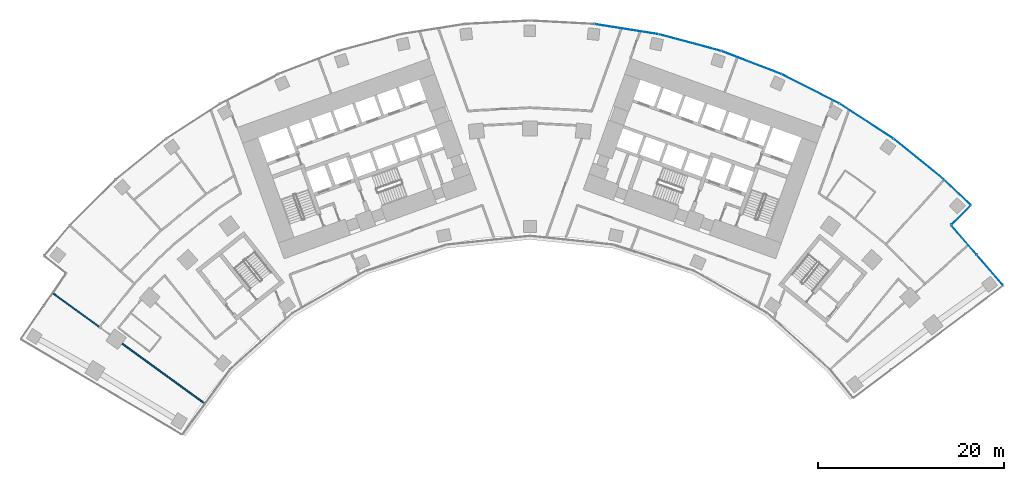
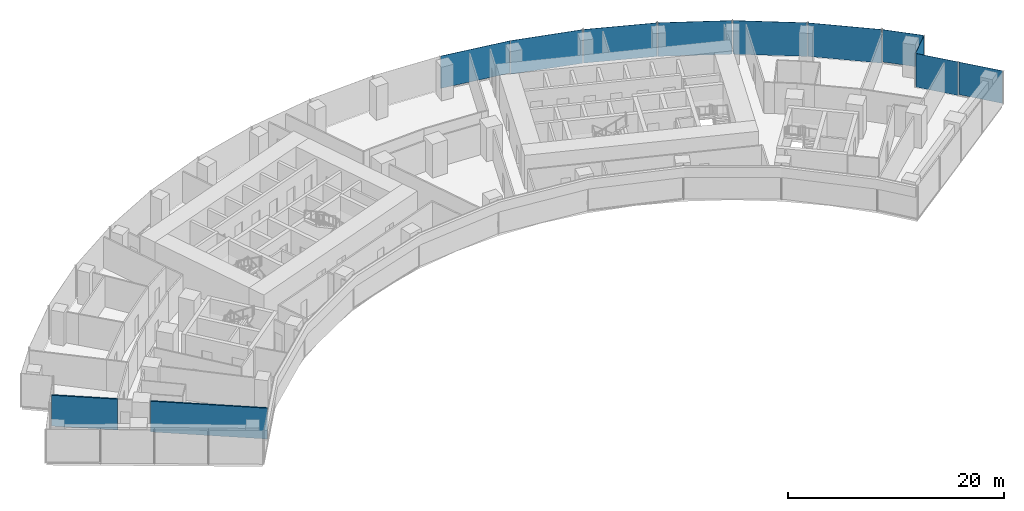
# One storey, part 13 of 21: 10 plates, 2 walls, 3 elements without a shape of their own.
"""IFC4 building model written with IfcOpenShell, lengths in metres."""

from ifc_helpers import new_model, si_unit, direction, frame, frame_2d, origin, origin_2d, place, context, subcontext, project, spatial, rectangle, extrude, material, layer, layer_set, type_object, element, aggregate, save


model = new_model("IFC4")

# Units and contexts
model_context = context("Model", 3, precision=1e-05, world=origin(), true_north=direction((0.0, 1.0)))
body_context = subcontext(model_context, "Body", "Model", "MODEL_VIEW")
ifc_project = project(units=[si_unit("LENGTHUNIT", "METRE"), si_unit("AREAUNIT", "SQUARE_METRE"), si_unit("VOLUMEUNIT", "CUBIC_METRE"), si_unit("PLANEANGLEUNIT", "RADIAN"), si_unit("MASSUNIT", "GRAM", prefix="KILO")], contexts=[model_context])

# Site, building, storey
site_placement = place(None, origin())
site = spatial("IfcSite", under=ifc_project, at=site_placement, CompositionType="ELEMENT")
building_placement = place(site_placement, origin())
building = spatial("IfcBuilding", under=site, at=building_placement, Name="Stone Belt Terrace Tower", CompositionType="ELEMENT")
storey_placement = place(building_placement, frame((0.0, 0.0, 71.800048828125)))
storey = spatial("IfcBuildingStorey", under=building, at=storey_placement, Name="L17", CompositionType="ELEMENT", Elevation=71.800048828125)

# Curtain wall, plates
ifc_material_1 = material(Name="Aluminium 6063-T6 anodised frame", Category="aluminium")
ifc_layer_1 = layer(ifc_material_1, 0.14990234375)
ifc_layer_set_1 = layer_set([ifc_layer_1], Name="CW-A unitised convex-face curtain wall")
curtain_wall_type_1 = type_object("IfcCurtainWallType", Name="CW-A unitised convex-face curtain wall", PredefinedType="NOTDEFINED", material=ifc_layer_set_1)
curtain_wall_1_placement = place(storey_placement, origin())
curtain_wall_1 = element("IfcCurtainWall", 1, at=curtain_wall_1_placement, inside=storey, type_object=curtain_wall_type_1, Name="CW-A convex face L17", PredefinedType="NOTDEFINED")
ifc_material_2 = material(Name="Clear double glazed unit")
ifc_layer_2 = layer(ifc_material_2, 0.031982421875)
ifc_layer_set_2 = layer_set([ifc_layer_2], Name="CW-A glass panel 32")
plate_type_1 = type_object("IfcPlateType", Name="CW-A glass panel 32", PredefinedType="CURTAIN_PANEL", material=ifc_layer_set_2)
plate_1_placement = place(storey_placement, frame((45.9765625, 48.109619140625, 0.14013671875), z_axis=(0.0, 0.0, 1.0), x_axis=(-0.723120883539, 0.690721497993, 0.0)))
plate_1 = element("IfcPlate", 2, at=plate_1_placement, type_object=plate_type_1, Name="CW-A panel 1.1", PredefinedType="CURTAIN_PANEL", context=body_context, shape_type="SweptSolid", body=[
    extrude(rectangle(XDim=3.888671875, YDim=0.031982421875, at=origin_2d()), origin(), (0.0, 0.0, 1.0), 3.659912109375),
])
plate_2_placement = place(storey_placement, frame((41.839599609375, 51.667724609375, 0.0), z_axis=(0.0, 0.0, 1.0), x_axis=(-0.777145961457, 0.62932039105, 0.0)))
plate_2 = element("IfcPlate", 3, at=plate_2_placement, type_object=plate_type_1, Name="CW-A panel 2.1", PredefinedType="CURTAIN_PANEL", context=body_context, shape_type="SweptSolid", body=[
    extrude(rectangle(XDim=6.900634765625, YDim=0.031982421875, at=origin_2d()), origin(), (0.0, 0.0, 1.0), 3.800048828125),
])
plate_3_placement = place(storey_placement, frame((36.209716796875, 55.758056640625, 0.0), z_axis=(0.0, 0.0, 1.0), x_axis=(-0.838670567945, 0.544639035015, 0.0)))
plate_3 = element("IfcPlate", 4, at=plate_3_placement, type_object=plate_type_1, Name="CW-A panel 3.1", PredefinedType="CURTAIN_PANEL", context=body_context, shape_type="SweptSolid", body=[
    extrude(rectangle(XDim=6.90087890625, YDim=0.031982421875, at=origin_2d()), origin(), (0.0, 0.0, 1.0), 3.800048828125),
])
plate_4_placement = place(storey_placement, frame((30.18310546875, 59.237548828125, 0.0), z_axis=(0.0, 0.0, 1.0), x_axis=(-0.891006524188, 0.45399049974, 0.0)))
plate_4 = element("IfcPlate", 5, at=plate_4_placement, type_object=plate_type_1, Name="CW-A panel 4.1", PredefinedType="CURTAIN_PANEL", context=body_context, shape_type="SweptSolid", body=[
    extrude(rectangle(XDim=6.90087890625, YDim=0.031982421875, at=origin_2d()), origin(), (0.0, 0.0, 1.0), 3.800048828125),
])
plate_5_placement = place(storey_placement, frame((23.82568359375, 62.068115234375, 0.0), z_axis=(0.0, 0.0, 1.0), x_axis=(-0.933580426497, 0.358367949545, 0.0)))
plate_5 = element("IfcPlate", 6, at=plate_5_placement, type_object=plate_type_1, Name="CW-A panel 5.1", PredefinedType="CURTAIN_PANEL", context=body_context, shape_type="SweptSolid", body=[
    extrude(rectangle(XDim=6.90087890625, YDim=0.031982421875, at=origin_2d()), origin(), (0.0, 0.0, 1.0), 3.800048828125),
])
plate_6_placement = place(storey_placement, frame((17.207275390625, 64.218505859375, 0.0), z_axis=(0.0, 0.0, 1.0), x_axis=(-0.965925826289, 0.258819045103, 0.0)))
plate_6 = element("IfcPlate", 7, at=plate_6_placement, type_object=plate_type_1, Name="CW-A panel 6.1", PredefinedType="CURTAIN_PANEL", context=body_context, shape_type="SweptSolid", body=[
    extrude(rectangle(XDim=6.90087890625, YDim=0.031982421875, at=origin_2d()), origin(), (0.0, 0.0, 1.0), 3.800048828125),
])
plate_7_placement = place(storey_placement, frame((10.400390625, 65.665283203125, 0.14013671875), z_axis=(0.0, 0.0, 1.0), x_axis=(-0.987688340595, 0.15643446504, 0.0)))
plate_7 = element("IfcPlate", 8, at=plate_7_placement, type_object=plate_type_1, Name="CW-A panel 7.1", PredefinedType="CURTAIN_PANEL", context=body_context, shape_type="SweptSolid", body=[
    extrude(rectangle(XDim=6.90087890625, YDim=0.031982421875, at=origin_2d()), origin(), (0.0, 0.0, 1.0), 3.659912109375),
])
aggregate(curtain_wall_1, [plate_1, plate_2, plate_3, plate_4, plate_5, plate_6, plate_7])

ifc_layer_3 = layer(ifc_material_1, 0.14990234375)
ifc_layer_set_3 = layer_set([ifc_layer_3], Name="CW-C stick curtain wall, horn ends and notches")
curtain_wall_type_2 = type_object("IfcCurtainWallType", Name="CW-C stick curtain wall, horn ends and notches", PredefinedType="NOTDEFINED", material=ifc_layer_set_3)
curtain_wall_2_placement = place(storey_placement, origin())
curtain_wall_2 = element("IfcCurtainWall", 9, at=curtain_wall_2_placement, inside=storey, type_object=curtain_wall_type_2, Name="CW-C notch face L17", PredefinedType="NOTDEFINED")
ifc_layer_4 = layer(ifc_material_2, 0.028076171875)
ifc_layer_set_4 = layer_set([ifc_layer_4], Name="CW-C glass panel 28")
plate_type_2 = type_object("IfcPlateType", Name="CW-C glass panel 28", PredefinedType="CURTAIN_PANEL", material=ifc_layer_set_4)
plate_8_placement = place(storey_placement, frame((49.466064453125, 39.76318359375, 0.1201171875), z_axis=(0.0, 0.0, 1.0), x_axis=(-0.652737860281, 0.757583847343, 0.0)))
plate_8 = element("IfcPlate", 10, at=plate_8_placement, type_object=plate_type_2, Name="CW-C panel 1.1", PredefinedType="CURTAIN_PANEL", context=body_context, shape_type="SweptSolid", body=[
    extrude(rectangle(XDim=4.268798828125, YDim=0.028076171875, at=origin_2d()), origin(), (0.0, 0.0, 1.0), 3.679931640625),
])
plate_9_placement = place(storey_placement, frame((46.68896484375, 42.986572265625, 0.0), z_axis=(0.0, 0.0, 1.0), x_axis=(-0.652737860281, 0.757583847343, 0.0)))
plate_9 = element("IfcPlate", 11, at=plate_9_placement, type_object=plate_type_2, Name="CW-C panel 2.1", PredefinedType="CURTAIN_PANEL", context=body_context, shape_type="SweptSolid", body=[
    extrude(rectangle(XDim=4.12060546875, YDim=0.028076171875, at=origin_2d()), origin(), (0.0, 0.0, 1.0), 3.800048828125),
])
aggregate(curtain_wall_2, [plate_8, plate_9])

# Curtain wall, plate
curtain_wall_3_placement = place(storey_placement, origin())
curtain_wall_3 = element("IfcCurtainWall", 12, at=curtain_wall_3_placement, inside=storey, type_object=curtain_wall_type_2, Name="CW-C notch face L17", PredefinedType="NOTDEFINED")
plate_10_placement = place(storey_placement, frame((46.365966796875, 45.658447265625, 0.1201171875), z_axis=(0.0, 0.0, 1.0), x_axis=(0.711713447851, 0.702469905511, 0.0)))
plate_10 = element("IfcPlate", 13, at=plate_10_placement, type_object=plate_type_2, Name="CW-C panel 1.1", PredefinedType="CURTAIN_PANEL", context=body_context, shape_type="SweptSolid", body=[
    extrude(rectangle(XDim=2.859375, YDim=0.028076171875, at=origin_2d()), origin(), (0.0, 0.0, 1.0), 3.679931640625),
])
aggregate(curtain_wall_3, [plate_10])

# Walls
ifc_material_3 = material(Name="Gypsum board partition")
ifc_layer_5 = layer(ifc_material_3, 0.14990234375)
ifc_layer_set_5 = layer_set([ifc_layer_5], Name="PARTITION 150 EI 60")
wall_type = type_object("IfcWallType", Name="PARTITION 150 EI 60", PredefinedType="PARTITIONING", material=ifc_layer_set_5)
wall_1_placement = place(storey_placement, frame((-43.82470703125, 31.83984375, 0.0), z_axis=(0.0, 0.0, 1.0), x_axis=(0.80903281135, -0.587763481478, 0.0)))
element("IfcWall", 14, at=wall_1_placement, inside=storey, type_object=wall_type, Name="L17/wall/i032", PredefinedType="PARTITIONING", context=body_context, shape_type="SweptSolid", body=[
    extrude(rectangle(XDim=10.883544921875, YDim=0.14990234375, at=frame_2d((5.44189453125, 0.0))), origin(), (0.0, 0.0, 1.0), 3.47998046875),
])
wall_2_placement = place(storey_placement, frame((-51.27294921875, 37.251708984375, 0.0), z_axis=(0.0, 0.0, 1.0), x_axis=(0.809013729568, -0.587789745887, 0.0)))
element("IfcWall", 15, at=wall_2_placement, inside=storey, type_object=wall_type, Name="L17/wall/i033", PredefinedType="PARTITIONING", context=body_context, shape_type="SweptSolid", body=[
    extrude(rectangle(XDim=6.157958984375, YDim=0.14990234375, at=frame_2d((3.0791015625, 0.0))), origin(), (0.0, 0.0, 1.0), 3.47998046875),
])

save(model, "model.ifc")
